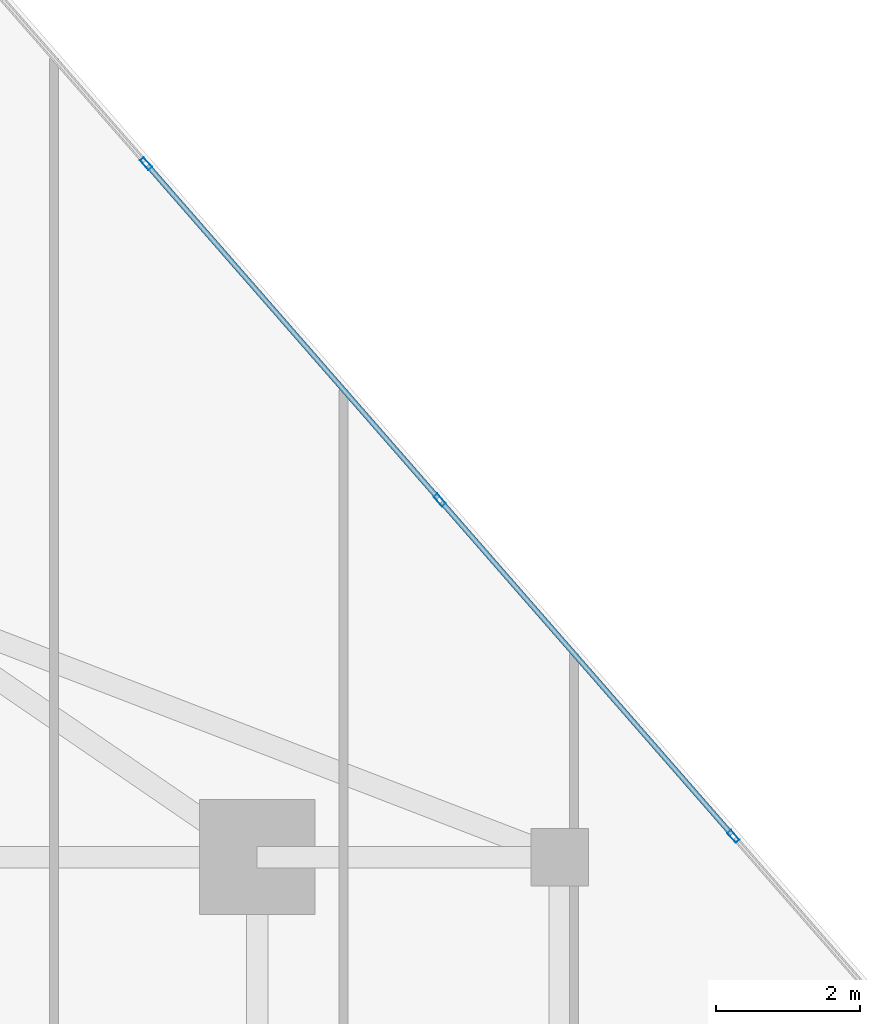
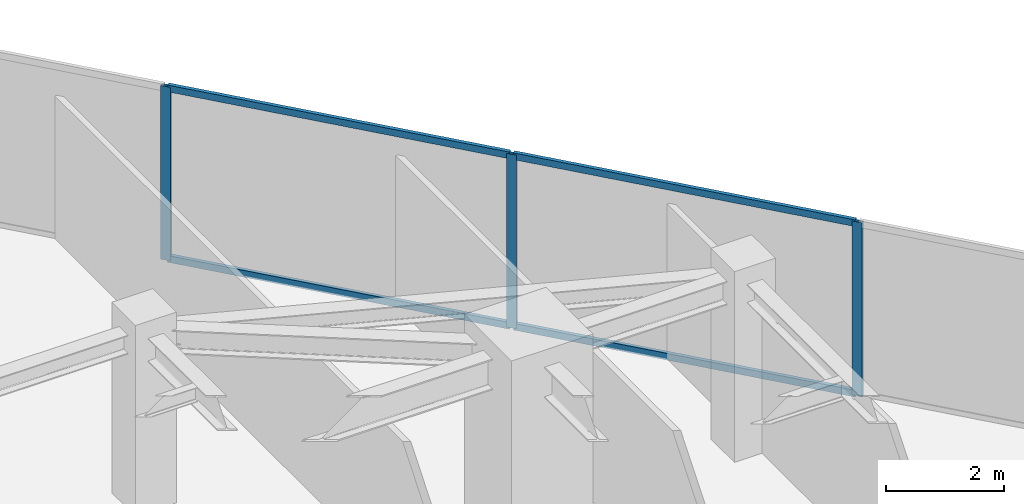
# One storey, part 18 of 24: 7 members, 1 element without a shape of its own.
"""IFC4 building model written with IfcOpenShell, lengths in metres."""

import ifcopenshell
import ifcopenshell.guid

model = None  # the IFC model being written
_history = None  # IfcOwnerHistory: only IFC2X3 demands one
_inside = {}  # id of a spatial element -> (the spatial element, [elements in it])
_under = {}  # id of a project, library or spatial element -> (it, [spatial elements below it])
_declared = {}  # id of a project -> (the project, [libraries it declares])
_typed = {}  # id of a type object -> (the type object, [elements of that type])
_made_of = {}  # id of a material, layer set ... -> (it, [elements and type objects made of it])


def new_model(schema):
    """Start an empty IFC model of exactly this schema.

    Asked for "IFC4X3", IfcOpenShell would pick the latest addendum, in which some entities
    have other attributes; the version numbers below select the first issue.
    IFC2X3 requires an IfcOwnerHistory on every rooted entity: one is made here for all.
    """
    global model, _history
    if schema == "IFC4X3":
        model = ifcopenshell.file(schema_version=(4, 3, 0, 0))
    else:
        model = ifcopenshell.file(schema=schema)
    _inside.clear()
    _under.clear()
    _declared.clear()
    _typed.clear()
    _made_of.clear()
    _history = None
    if model.schema == "IFC2X3":
        org = make("IfcOrganization", Name="unknown")
        user = make(
            "IfcPersonAndOrganization",
            ThePerson=make("IfcPerson", FamilyName="unknown"),
            TheOrganization=org,
        )
        app = make(
            "IfcApplication",
            ApplicationDeveloper=org,
            Version="unknown",
            ApplicationFullName="unknown",
            ApplicationIdentifier="unknown",
        )
        _history = make(
            "IfcOwnerHistory",
            OwningUser=user,
            OwningApplication=app,
            ChangeAction="ADDED",
            CreationDate=0,
        )
    return model


def make(cls, **values):
    """One entity of the class cls with the attributes given. An attribute that is None is left unset."""
    return model.create_entity(
        cls, **{name: value for name, value in values.items() if value is not None}
    )


def rooted(cls, **values):
    """An entity with a GlobalId (a new one), such as an element, a storey or a relation."""
    return make(cls, GlobalId=ifcopenshell.guid.new(), OwnerHistory=_history, **values)


def si_unit(unit_type, name, prefix=None):
    """IfcSIUnit, for example si_unit("LENGTHUNIT", "METRE", prefix="MILLI")."""
    return make("IfcSIUnit", UnitType=unit_type, Prefix=prefix, Name=name)


def assignment(units):
    """IfcUnitAssignment: the units of a project."""
    return None if units is None else make("IfcUnitAssignment", Units=units)


def point(xyz):
    """IfcCartesianPoint."""
    return None if xyz is None else make("IfcCartesianPoint", Coordinates=xyz)


def direction(xyz):
    """IfcDirection."""
    return None if xyz is None else make("IfcDirection", DirectionRatios=xyz)


def frame(location, z_axis=None, x_axis=None):
    """IfcAxis2Placement3D, a coordinate frame: its origin and axes. An axis left out is left unset."""
    return make(
        "IfcAxis2Placement3D",
        Location=point(location),
        Axis=direction(z_axis),
        RefDirection=direction(x_axis),
    )


def frame_2d(location, x_axis=None):
    """IfcAxis2Placement2D, a coordinate frame in the plane: its origin and x axis."""
    return make(
        "IfcAxis2Placement2D", Location=point(location), RefDirection=direction(x_axis)
    )


def origin():
    """The frame at (0, 0, 0) with its axes left unset."""
    return frame((0.0, 0.0, 0.0))


def origin_2d():
    """The frame at (0, 0) in the plane with its x axis left unset."""
    return frame_2d((0.0, 0.0))


def place(relative_to, where):
    """IfcLocalPlacement: puts the frame where relative to a parent placement (None: the world)."""
    return make(
        "IfcLocalPlacement", PlacementRelTo=relative_to, RelativePlacement=where
    )


def context(
    kind, dimensions, precision=None, world=None, true_north=None, identifier=None
):
    """IfcGeometricRepresentationContext, for example the 3D "Model" context."""
    return make(
        "IfcGeometricRepresentationContext",
        ContextIdentifier=identifier,
        ContextType=kind,
        CoordinateSpaceDimension=dimensions,
        Precision=precision,
        WorldCoordinateSystem=world,
        TrueNorth=true_north,
    )


def subcontext(parent, identifier, kind, view, scale=None):
    """IfcGeometricRepresentationSubContext, for example "Body" below "Model"."""
    return make(
        "IfcGeometricRepresentationSubContext",
        ContextIdentifier=identifier,
        ContextType=kind,
        ParentContext=parent,
        TargetScale=scale,
        TargetView=view,
    )


def project(units=None, contexts=None):
    """IfcProject with its units and contexts."""
    return rooted(
        "IfcProject",
        Name="project",
        RepresentationContexts=contexts,
        UnitsInContext=assignment(units),
    )


def spatial(cls, under=None, at=None, **own):
    """A site, building, storey or space (cls), placed at a placement, below another one or the project."""
    s = rooted(cls, ObjectPlacement=at, **own)
    if under is not None:
        _under.setdefault(under.id(), (under, []))[1].append(s)
    return s


def profile(cls, at=None, kind="AREA", **sizes):
    """A parametric profile (cls). Its sizes go by their IFC names, for example OverallWidth=200.0."""
    return make(cls, ProfileType=kind, Position=at, **sizes)


def hollow_rectangle(**sizes):
    """IfcRectangleHollowProfileDef."""
    return profile("IfcRectangleHollowProfileDef", **sizes)


def extrude(swept, where, along, depth):
    """IfcExtrudedAreaSolid: the profile swept, set in the frame where, extruded along a direction by depth."""
    return make(
        "IfcExtrudedAreaSolid",
        SweptArea=swept,
        Position=where,
        ExtrudedDirection=direction(along),
        Depth=depth,
    )


def shape(context_of_items, identifier, shape_type, items):
    """IfcShapeRepresentation: the items that make up one representation, for example the "Body"."""
    return make(
        "IfcShapeRepresentation",
        ContextOfItems=context_of_items,
        RepresentationIdentifier=identifier,
        RepresentationType=shape_type,
        Items=items,
    )


def source(mapping_origin, context_of_items, identifier, shape_type, items):
    """IfcRepresentationMap: a shape defined once, which mapped items show again and again."""
    return make(
        "IfcRepresentationMap",
        MappingOrigin=mapping_origin,
        MappedRepresentation=shape(context_of_items, identifier, shape_type, items),
    )


def transform(
    local_origin,
    x_axis=None,
    y_axis=None,
    z_axis=None,
    scale=None,
    scale2=None,
    scale3=None,
    uniform=True,
):
    """IfcCartesianTransformationOperator3D, or its non-uniform kind. x_axis, y_axis, z_axis: its Axis1, 2, 3."""
    if uniform:
        return make(
            "IfcCartesianTransformationOperator3D",
            Axis1=direction(x_axis),
            Axis2=direction(y_axis),
            LocalOrigin=point(local_origin),
            Scale=scale,
            Axis3=direction(z_axis),
        )
    return make(
        "IfcCartesianTransformationOperator3DnonUniform",
        Axis1=direction(x_axis),
        Axis2=direction(y_axis),
        LocalOrigin=point(local_origin),
        Scale=scale,
        Axis3=direction(z_axis),
        Scale2=scale2,
        Scale3=scale3,
    )


def mapped(mapping_source, mapping_target):
    """IfcMappedItem: shows the shape of a source again, moved by a transform."""
    return make(
        "IfcMappedItem", MappingSource=mapping_source, MappingTarget=mapping_target
    )


def material(Name=None, Category=None):
    """IfcMaterial."""
    return make("IfcMaterial", Name=Name, Category=Category)


def material_profile(
    of_material, cross_section, Name=None, Category=None, Priority=None
):
    """IfcMaterialProfile: a cross section and its material."""
    return make(
        "IfcMaterialProfile",
        Name=Name,
        Material=of_material,
        Profile=cross_section,
        Priority=Priority,
        Category=Category,
    )


def profile_set(profiles, Name=None, composite=None):
    """IfcMaterialProfileSet."""
    return make(
        "IfcMaterialProfileSet",
        Name=Name,
        MaterialProfiles=profiles,
        CompositeProfile=composite,
    )


def made_of(thing, what):
    """Note that an element or type object is made of a material, layer set ...; save() writes the relation."""
    if what is not None:
        _made_of.setdefault(what.id(), (what, []))[1].append(thing)
    return thing


def type_object(cls, material=None, **own):
    """A type object (cls), such as IfcWallType, which elements share."""
    return made_of(rooted(cls, **own), material)


def type_shapes(of_type, sources):
    """Give a type object the sources (RepresentationMaps) that its elements show as mapped items."""
    of_type.RepresentationMaps = sources


def element(
    cls,
    number,
    at=None,
    inside=None,
    cuts=None,
    type_object=None,
    material=None,
    context=None,
    identifier="Body",
    shape_type=None,
    held_by="IfcProductDefinitionShape",
    body=None,
    shapes=None,
    **own,
):
    """One element of the class cls, such as IfcWall. Its Tag is "e" and its number.

    at: its placement. inside: the storey or other place that contains it. cuts: it is an
    opening in that element (IfcRelVoidsElement). A single representation is given by context,
    identifier, shape_type and body (its items); several are given by shapes. held_by: the class
    of the entity that holds the representations. save() writes the other relations.
    """
    e = rooted(cls, Tag="e%d" % number, ObjectPlacement=at, **own)
    if body is not None:
        shapes = [shape(context, identifier, shape_type, body)]
    if shapes is not None:
        e.Representation = make(held_by, Representations=shapes)
    if inside is not None:
        _inside.setdefault(inside.id(), (inside, []))[1].append(e)
    if cuts is not None:
        rooted(
            "IfcRelVoidsElement", RelatingBuildingElement=cuts, RelatedOpeningElement=e
        )
    if type_object is not None:
        _typed.setdefault(type_object.id(), (type_object, []))[1].append(e)
    return made_of(e, material)


def aggregate(whole, parts):
    """IfcRelAggregates: a whole, such as a stair, and the parts it consists of."""
    return rooted("IfcRelAggregates", RelatingObject=whole, RelatedObjects=parts)


def save(model, path):
    """Write the relations noted so far, then the file.

    IfcRelAggregates (storeys below a building ...), IfcRelContainedInSpatialStructure (elements
    in a storey), IfcRelDefinesByType, IfcRelAssociatesMaterial and IfcRelDeclares: one each for
    every whole, place, type object, material and project.
    """
    for whole, parts in _under.values():
        aggregate(whole, parts)
    for where, things in _inside.values():
        rooted(
            "IfcRelContainedInSpatialStructure",
            RelatedElements=things,
            RelatingStructure=where,
        )
    for kind, things in _typed.values():
        rooted("IfcRelDefinesByType", RelatedObjects=things, RelatingType=kind)
    for what, things in _made_of.values():
        rooted("IfcRelAssociatesMaterial", RelatedObjects=things, RelatingMaterial=what)
    for by, libraries in _declared.values():
        rooted("IfcRelDeclares", RelatingContext=by, RelatedDefinitions=libraries)
    model.write(path)


model = new_model("IFC4")

# Units and contexts
model_context = context("Model", 3, precision=1e-05, world=origin(), true_north=direction((0.0, 1.0)))
body_context = subcontext(model_context, "Body", "Model", "MODEL_VIEW")
ifc_project = project(units=[si_unit("LENGTHUNIT", "METRE"), si_unit("AREAUNIT", "SQUARE_METRE"), si_unit("VOLUMEUNIT", "CUBIC_METRE"), si_unit("PLANEANGLEUNIT", "RADIAN"), si_unit("MASSUNIT", "GRAM", prefix="KILO")], contexts=[model_context])

# Site, building, storey
site_placement = place(None, origin())
site = spatial("IfcSite", under=ifc_project, at=site_placement, CompositionType="ELEMENT")
building_placement = place(site_placement, origin())
building = spatial("IfcBuilding", under=site, at=building_placement, Name="Krantzveldt Concourse Tower", CompositionType="ELEMENT")
storey_placement = place(building_placement, frame((0.0, 0.0, 258.64990234375)))
storey = spatial("IfcBuildingStorey", under=building, at=storey_placement, Name="L63", CompositionType="ELEMENT", Elevation=258.64990234375)

# Curtain wall, members
ifc_material = material(Name="Anodised aluminium 6063-T6", Category="aluminium")
curtain_wall_type = type_object("IfcCurtainWallType", Name="CW3", PredefinedType="USERDEFINED", material=ifc_material)
curtain_wall_placement = place(storey_placement, origin())
curtain_wall = element("IfcCurtainWall", 1, at=curtain_wall_placement, inside=storey, type_object=curtain_wall_type, Name="CW-L63-F10", ObjectType="UNITISED CURTAIN WALL", PredefinedType="USERDEFINED")
ifc_material_profile_1 = material_profile(ifc_material, hollow_rectangle(XDim=0.070068359375, YDim=0.179931640625, WallThickness=0.0048828125, at=origin_2d()), Name="Anodised aluminium 6063-T6", Category="aluminium")
ifc_profile_set_1 = profile_set([ifc_material_profile_1], Name="Anodised aluminium 6063-T6 - ALU-MULL 180x70x5")
member_type_1 = type_object("IfcMemberType", Name="CW-MUL-180", PredefinedType="MULLION", material=ifc_profile_set_1)
shared_shape_1 = source(origin(), body_context, "Body", "SweptSolid", [
    extrude(hollow_rectangle(XDim=0.070068359375, YDim=0.179931640625, WallThickness=0.0048828125, at=origin_2d()), origin(), (0.0, 0.0, 1.0), 3.60009765625),
])
type_shapes(member_type_1, [shared_shape_1])
member_1_placement = place(storey_placement, frame((53.413330078125, 37.78857421875, 0.0), z_axis=(0.0, 0.0, 1.0), x_axis=(-0.753276529034, -0.657703938567, 0.0)))
member_1 = element("IfcMember", 2, at=member_1_placement, type_object=member_type_1, Name="CW-Z34 mullion 3", PredefinedType="MULLION", context=body_context, shape_type="MappedRepresentation", body=[
    mapped(shared_shape_1, transform((0.0, 0.0, 0.0), x_axis=(1.0, 0.0, 0.0), y_axis=(0.0, 1.0, 0.0), z_axis=(0.0, 0.0, 1.0), scale=1.0)),
])
member_2_placement = place(storey_placement, frame((49.33544921875, 42.458984375, 0.0), z_axis=(0.0, 0.0, 1.0), x_axis=(-0.753276529034, -0.657703938567, 0.0)))
member_2 = element("IfcMember", 3, at=member_2_placement, type_object=member_type_1, Name="CW-Z34 mullion 4", PredefinedType="MULLION", context=body_context, shape_type="MappedRepresentation", body=[
    mapped(shared_shape_1, transform((0.0, 0.0, 0.0), x_axis=(1.0, 0.0, 0.0), y_axis=(0.0, 1.0, 0.0), z_axis=(0.0, 0.0, 1.0), scale=1.0)),
])
member_3_placement = place(storey_placement, frame((45.2578125, 47.129150390625, 0.0), z_axis=(0.0, 0.0, 1.0), x_axis=(-0.753276529034, -0.657703938567, 0.0)))
member_3 = element("IfcMember", 4, at=member_3_placement, type_object=member_type_1, Name="CW-Z34 mullion 5", PredefinedType="MULLION", context=body_context, shape_type="MappedRepresentation", body=[
    mapped(shared_shape_1, transform((0.0, 0.0, 0.0), x_axis=(1.0, 0.0, 0.0), y_axis=(0.0, 1.0, 0.0), z_axis=(0.0, 0.0, 1.0), scale=1.0)),
])
ifc_material_profile_2 = material_profile(ifc_material, hollow_rectangle(XDim=0.070068359375, YDim=0.139892578125, WallThickness=0.0048828125, at=origin_2d()), Name="Anodised aluminium 6063-T6", Category="aluminium")
ifc_profile_set_2 = profile_set([ifc_material_profile_2], Name="Anodised aluminium 6063-T6 - ALU-TRAN 140x70x5")
member_type_2 = type_object("IfcMemberType", Name="CW-TRN-150", PredefinedType="USERDEFINED", material=ifc_profile_set_2)
shared_shape_2 = source(origin(), body_context, "Body", "SweptSolid", [
    extrude(hollow_rectangle(XDim=0.070068359375, YDim=0.139892578125, WallThickness=0.0048828125, at=origin_2d()), origin(), (0.0, 0.0, 1.0), 6.130126953125),
])
member_4_placement = place(storey_placement, frame((53.39013671875, 37.81494140625, 0.03515625), z_axis=(-0.657697827635, 0.753281864593, 0.0), x_axis=(-0.753281864593, -0.657697827635, 0.0)))
member_4 = element("IfcMember", 5, at=member_4_placement, type_object=member_type_2, Name="CW-Z34 transom 3.1", ObjectType="TRANSOM", PredefinedType="USERDEFINED", context=body_context, shape_type="MappedRepresentation", body=[
    mapped(shared_shape_2, transform((0.0, 0.0, 0.0), x_axis=(1.0, 0.0, 0.0), y_axis=(0.0, 1.0, 0.0), z_axis=(0.0, 0.0, 1.0), scale=1.0)),
])
member_5_placement = place(storey_placement, frame((53.39013671875, 37.81494140625, 3.565185546875), z_axis=(-0.657697827635, 0.753281864593, 0.0), x_axis=(-0.753281864593, -0.657697827635, 0.0)))
member_5 = element("IfcMember", 6, at=member_5_placement, type_object=member_type_2, Name="CW-Z34 transom 3.2", ObjectType="TRANSOM", PredefinedType="USERDEFINED", context=body_context, shape_type="MappedRepresentation", body=[
    mapped(shared_shape_2, transform((0.0, 0.0, 0.0), x_axis=(1.0, 0.0, 0.0), y_axis=(0.0, 1.0, 0.0), z_axis=(0.0, 0.0, 1.0), scale=1.0)),
])
shared_shape_3 = source(origin(), body_context, "Body", "SweptSolid", [
    extrude(hollow_rectangle(XDim=0.070068359375, YDim=0.139892578125, WallThickness=0.0048828125, at=origin_2d()), origin(), (0.0, 0.0, 1.0), 6.1298828125),
])
type_shapes(member_type_2, [shared_shape_2, shared_shape_3])
member_6_placement = place(storey_placement, frame((49.3125, 42.4853515625, 0.03515625), z_axis=(-0.657717559408, 0.753264636132, 0.0), x_axis=(-0.753264636132, -0.657717559408, 0.0)))
member_6 = element("IfcMember", 7, at=member_6_placement, type_object=member_type_2, Name="CW-Z34 transom 4.1", ObjectType="TRANSOM", PredefinedType="USERDEFINED", context=body_context, shape_type="MappedRepresentation", body=[
    mapped(shared_shape_3, transform((0.0, 0.0, 0.0), x_axis=(1.0, 0.0, 0.0), y_axis=(0.0, 1.0, 0.0), z_axis=(0.0, 0.0, 1.0), scale=1.0)),
])
member_7_placement = place(storey_placement, frame((49.3125, 42.4853515625, 3.565185546875), z_axis=(-0.657717559408, 0.753264636132, 0.0), x_axis=(-0.753264636132, -0.657717559408, 0.0)))
member_7 = element("IfcMember", 8, at=member_7_placement, type_object=member_type_2, Name="CW-Z34 transom 4.2", ObjectType="TRANSOM", PredefinedType="USERDEFINED", context=body_context, shape_type="MappedRepresentation", body=[
    mapped(shared_shape_3, transform((0.0, 0.0, 0.0), x_axis=(1.0, 0.0, 0.0), y_axis=(0.0, 1.0, 0.0), z_axis=(0.0, 0.0, 1.0), scale=1.0)),
])
aggregate(curtain_wall, [member_1, member_2, member_3, member_4, member_5, member_6, member_7])

save(model, "model.ifc")
